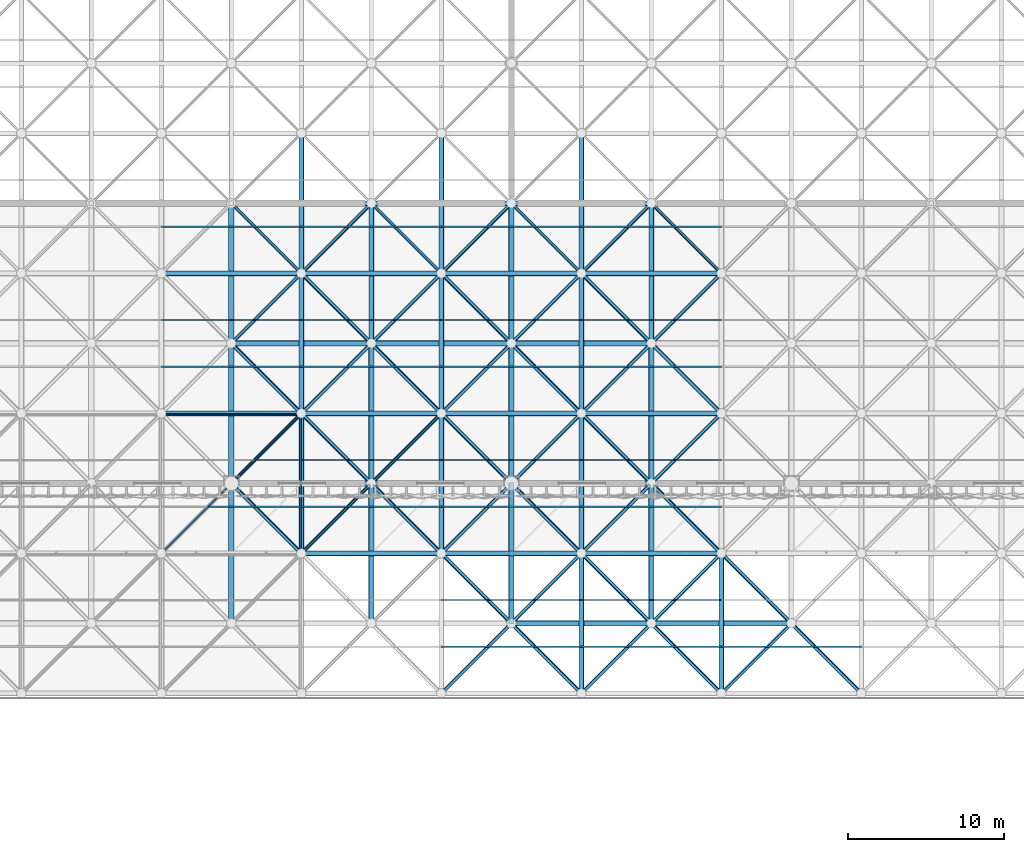
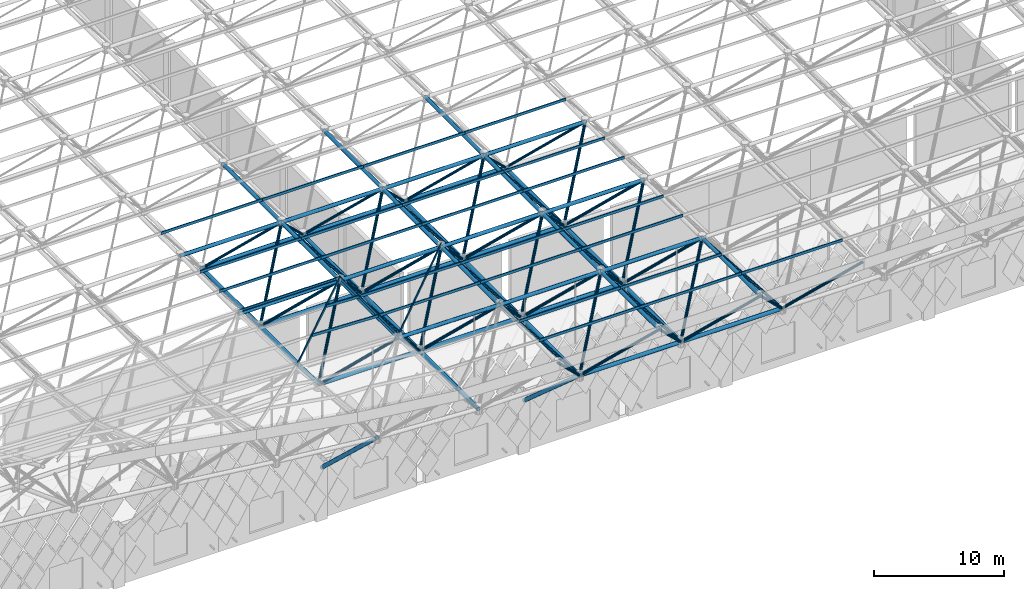
# One storey, part 84 of 437: 123 members.
"""IFC4 building model written with IfcOpenShell, lengths in metres."""

from ifc_helpers import new_model, si_unit, direction, frame, origin, origin_2d, place, context, subcontext, project, spatial, polyline, hollow_circle, outline, extrude, material, material_profile, profile_set, type_object, element, save


model = new_model("IFC4")

# Units and contexts
model_context = context("Model", 3, precision=1e-05, world=origin(), true_north=direction((0.0, 1.0)))
body_context = subcontext(model_context, "Body", "Model", "MODEL_VIEW")
ifc_project = project(units=[si_unit("LENGTHUNIT", "METRE"), si_unit("AREAUNIT", "SQUARE_METRE"), si_unit("VOLUMEUNIT", "CUBIC_METRE"), si_unit("PLANEANGLEUNIT", "RADIAN"), si_unit("MASSUNIT", "GRAM", prefix="KILO")], contexts=[model_context])

# Site, building, storey
site_placement = place(None, origin())
site = spatial("IfcSite", under=ifc_project, at=site_placement, CompositionType="ELEMENT")
building_placement = place(site_placement, origin())
building = spatial("IfcBuilding", under=site, at=building_placement, Name="Opaline Strait Convention Centre", CompositionType="ELEMENT")
storey_placement = place(building_placement, frame((0.0, 0.0, 11.5)))
storey = spatial("IfcBuildingStorey", under=building, at=storey_placement, Name="L02", CompositionType="ELEMENT", Elevation=11.5)

# Members
ifc_material = material(Name="Steel Q355B", Category="steel")
ifc_material_profile_1 = material_profile(ifc_material, hollow_circle(Radius=0.175537109375, WallThickness=0.01611328125, at=origin_2d()), Name="CHS 351x16")
ifc_profile_set_1 = profile_set([ifc_material_profile_1], Name="Steel Q355B")
member_type_1 = type_object("IfcMemberType", Name="Raking prop CHS 351x16", PredefinedType="BRACE", material=ifc_profile_set_1)
member_1_placement = place(storey_placement, frame((135.0, 53.48388671875, 5.014892578125), z_axis=(0.0, -0.72992125999, 0.683531238653), x_axis=(1.0, 0.0, 0.0)))
element("IfcMember", 1, at=member_1_placement, inside=storey, type_object=member_type_1, Name="Raking prop 135/54 S", PredefinedType="BRACE", context=body_context, shape_type="SweptSolid", body=[
    extrude(hollow_circle(Radius=0.175537109375, WallThickness=0.01611328125, at=origin_2d()), origin(), (0.0, 0.0, 1.0), 11.6728515625),
])
member_2_placement = place(storey_placement, frame((153.0, 53.48388671875, 5.01416015625), z_axis=(0.0, -0.749834093781, 0.661625900191), x_axis=(1.0, 0.0, 0.0)))
element("IfcMember", 2, at=member_2_placement, inside=storey, type_object=member_type_1, Name="Raking prop 153/54 S", PredefinedType="BRACE", context=body_context, shape_type="SweptSolid", body=[
    extrude(hollow_circle(Radius=0.175537109375, WallThickness=0.01611328125, at=origin_2d()), origin(), (0.0, 0.0, 1.0), 11.364501953125),
])
ifc_material_profile_2 = material_profile(ifc_material, outline(polyline([(-0.03759765625, -0.125), (0.03759765625, -0.125), (0.03759765625, -0.10498046875), (0.034912109375, -0.10498046875), (0.034912109375, -0.12255859375), (-0.034912109375, -0.12255859375), (-0.034912109375, 0.12255859375), (0.034912109375, 0.12255859375), (0.034912109375, 0.10498046875), (0.03759765625, 0.10498046875), (0.03759765625, 0.125), (-0.03759765625, 0.125), (-0.03759765625, -0.125)])), Name="C 250x75x20x2.5")
ifc_profile_set_2 = profile_set([ifc_material_profile_2], Name="Steel Q355B")
member_type_2 = type_object("IfcMemberType", Name="Roof purlin C 250x75x20x2.5", PredefinedType="PURLIN", material=ifc_profile_set_2)
for number, where, z_axis, x_axis, name in (
    (3, (148.5, 43.5, 18.257080078125), (1.0, 0.0, 0.0), (0.0, 1.0, 0.0), "EXB-RF-P-7-0-0"),
    (4, (148.5, 46.5, 18.257080078125), (1.0, 0.0, 0.0), (0.0, 1.0, 0.0), "EXB-RF-P-7-0-1"),
    (5, (157.5, 43.5, 18.257080078125), (1.0, 0.0, 0.0), (0.0, 1.0, 0.0), "EXB-RF-P-8-0-0"),
    (6, (157.5, 46.5, 18.257080078125), (1.0, 0.0, 0.0), (0.0, 1.0, 0.0), "EXB-RF-P-8-0-1"),
    (7, (166.5, 43.5, 18.257080078125), (1.0, 0.0, 0.0), (0.0, 1.0, 0.0), "EXB-RF-P-9-0-0"),
):
    element("IfcMember", number, at=place(storey_placement, frame(where, z_axis=z_axis, x_axis=x_axis)), inside=storey, type_object=member_type_2, Name=name, PredefinedType="PURLIN", context=body_context, shape_type="SweptSolid", body=[
        extrude(outline(polyline([(-0.03759765625, -0.125), (0.03759765625, -0.125), (0.03759765625, -0.10498046875), (0.034912109375, -0.10498046875), (0.034912109375, -0.12255859375), (-0.034912109375, -0.12255859375), (-0.034912109375, 0.12255859375), (0.034912109375, 0.12255859375), (0.034912109375, 0.10498046875), (0.03759765625, 0.10498046875), (0.03759765625, 0.125), (-0.03759765625, 0.125), (-0.03759765625, -0.125)])), origin(), (0.0, 0.0, 1.0), 9.0),
    ])
member_3_placement = place(storey_placement, frame((130.5, 49.5, 18.6572265625), z_axis=(0.706754608869, 0.706754608869, -0.031557022738), x_axis=(-0.707458778193, 0.706051128284, -0.031525884719)))
element("IfcMember", 8, at=member_3_placement, inside=storey, type_object=member_type_2, Name="EXB-RF-F-5-1", PredefinedType="PURLIN", context=body_context, shape_type="SweptSolid", body=[
    extrude(outline(polyline([(-0.03759765625, -0.125), (0.03759765625, -0.125), (0.03759765625, -0.10498046875), (0.034912109375, -0.10498046875), (0.034912109375, -0.12255859375), (-0.034912109375, -0.12255859375), (-0.034912109375, 0.12255859375), (0.034912109375, 0.12255859375), (0.034912109375, 0.10498046875), (0.03759765625, 0.10498046875), (0.03759765625, 0.125), (-0.03759765625, 0.125), (-0.03759765625, -0.125)])), origin(), (0.0, 0.0, 1.0), 12.734375),
])
member_4_placement = place(storey_placement, frame((139.45556640625, 58.550048828125, 18.25830078125), z_axis=(0.0, -0.999973571083, 0.007270291296), x_axis=(0.999302242213, -0.000271545984, -0.037349095988)))
element("IfcMember", 9, at=member_4_placement, inside=storey, type_object=member_type_2, Name="EXB-RF-E-5-1a", PredefinedType="PURLIN", context=body_context, shape_type="SweptSolid", body=[
    extrude(outline(polyline([(-0.03759765625, -0.125), (0.03759765625, -0.125), (0.03759765625, -0.10498046875), (0.034912109375, -0.10498046875), (0.034912109375, -0.12255859375), (-0.034912109375, -0.12255859375), (-0.034912109375, 0.12255859375), (0.034912109375, 0.12255859375), (0.034912109375, 0.10498046875), (0.03759765625, 0.10498046875), (0.03759765625, 0.125), (-0.03759765625, 0.125), (-0.03759765625, -0.125)])), origin(), (0.0, 0.0, 1.0), 9.100341796875),
])
member_5_placement = place(storey_placement, frame((133.550048828125, 52.5, 18.523193359375), z_axis=(0.999301908051, 0.0, -0.037359022553), x_axis=(-0.00027176702, 0.999973540706, -0.007269389915)))
element("IfcMember", 10, at=member_5_placement, inside=storey, type_object=member_type_2, Name="EXB-RF-P-5-1-0a", PredefinedType="PURLIN", context=body_context, shape_type="SweptSolid", body=[
    extrude(outline(polyline([(-0.03759765625, -0.125), (0.03759765625, -0.125), (0.03759765625, -0.10498046875), (0.034912109375, -0.10498046875), (0.034912109375, -0.12255859375), (-0.034912109375, -0.12255859375), (-0.034912109375, 0.12255859375), (0.034912109375, 0.12255859375), (0.034912109375, 0.10498046875), (0.03759765625, 0.10498046875), (0.03759765625, 0.125), (-0.03759765625, 0.125), (-0.03759765625, -0.125)])), origin(), (0.0, 0.0, 1.0), 5.875),
])
member_6_placement = place(storey_placement, frame((136.550048828125, 55.5, 18.38916015625), z_axis=(0.999303847196, 0.0, -0.03730711701), x_axis=(-0.000271389435, 0.999973540706, -0.007269404021)))
element("IfcMember", 11, at=member_6_placement, inside=storey, type_object=member_type_2, Name="EXB-RF-P-5-1-1a", PredefinedType="PURLIN", context=body_context, shape_type="SweptSolid", body=[
    extrude(outline(polyline([(-0.03759765625, -0.125), (0.03759765625, -0.125), (0.03759765625, -0.10498046875), (0.034912109375, -0.10498046875), (0.034912109375, -0.12255859375), (-0.034912109375, -0.12255859375), (-0.034912109375, 0.12255859375), (0.034912109375, 0.12255859375), (0.034912109375, 0.10498046875), (0.03759765625, 0.10498046875), (0.03759765625, 0.125), (-0.03759765625, 0.125), (-0.03759765625, -0.125)])), origin(), (0.0, 0.0, 1.0), 2.872802734375),
])
member_7_placement = place(storey_placement, frame((139.550048828125, 58.45458984375, 18.259033203125), z_axis=(-1.0, 0.0, 0.0), x_axis=(0.0, -0.999004644434, 0.044606282058)))
element("IfcMember", 12, at=member_7_placement, inside=storey, type_object=member_type_2, Name="EXB-RF-E-5-1b", PredefinedType="PURLIN", context=body_context, shape_type="SweptSolid", body=[
    extrude(outline(polyline([(-0.03759765625, -0.125), (0.03759765625, -0.125), (0.03759765625, -0.10498046875), (0.034912109375, -0.10498046875), (0.034912109375, -0.12255859375), (-0.034912109375, -0.12255859375), (-0.034912109375, 0.12255859375), (0.034912109375, 0.12255859375), (0.034912109375, 0.10498046875), (0.03759765625, 0.10498046875), (0.03759765625, 0.125), (-0.03759765625, 0.125), (-0.03759765625, -0.125)])), origin(), (0.0, 0.0, 1.0), 9.10009765625),
])
member_8_placement = place(storey_placement, frame((139.5, 49.5, 18.322021484375), z_axis=(0.7070974383, 0.7070974383, -0.005140573824), x_axis=(-0.707116123947, 0.707078731646, -0.005143394667)))
element("IfcMember", 13, at=member_8_placement, inside=storey, type_object=member_type_2, Name="EXB-RF-F-6-1", PredefinedType="PURLIN", context=body_context, shape_type="SweptSolid", body=[
    extrude(outline(polyline([(-0.03759765625, -0.125), (0.03759765625, -0.125), (0.03759765625, -0.10498046875), (0.034912109375, -0.10498046875), (0.034912109375, -0.12255859375), (-0.034912109375, -0.12255859375), (-0.034912109375, 0.12255859375), (0.034912109375, 0.12255859375), (0.034912109375, 0.10498046875), (0.03759765625, 0.10498046875), (0.03759765625, 0.125), (-0.03759765625, 0.125), (-0.03759765625, -0.125)])), origin(), (0.0, 0.0, 1.0), 12.72802734375),
])
member_9_placement = place(storey_placement, frame((142.550048828125, 52.5, 18.30029296875), z_axis=(0.999973627418, 0.0, -0.007262538757), x_axis=(0.0, 1.0, 0.0)))
element("IfcMember", 14, at=member_9_placement, inside=storey, type_object=member_type_2, Name="EXB-RF-P-6-1-0a", PredefinedType="PURLIN", context=body_context, shape_type="SweptSolid", body=[
    extrude(outline(polyline([(-0.03759765625, -0.125), (0.03759765625, -0.125), (0.03759765625, -0.10498046875), (0.034912109375, -0.10498046875), (0.034912109375, -0.12255859375), (-0.034912109375, -0.12255859375), (-0.034912109375, 0.12255859375), (0.034912109375, 0.12255859375), (0.034912109375, 0.10498046875), (0.03759765625, 0.10498046875), (0.03759765625, 0.125), (-0.03759765625, 0.125), (-0.03759765625, -0.125)])), origin(), (0.0, 0.0, 1.0), 5.9501953125),
])
for number, where, z_axis, x_axis, name in (
    (15, (145.550048828125, 55.5, 18.278564453125), (0.999973480305, 0.0, -0.007282766388), (0.0, 1.0, 0.0), "EXB-RF-P-6-1-1a"),
    (16, (139.5, 52.5, 18.300537109375), (1.0, 0.0, 0.0), (0.0, 0.999973540706, -0.007274468163), "EXB-RF-P-6-1-0b"),
):
    element("IfcMember", number, at=place(storey_placement, frame(where, z_axis=z_axis, x_axis=x_axis)), inside=storey, type_object=member_type_2, Name=name, PredefinedType="PURLIN", context=body_context, shape_type="SweptSolid", body=[
        extrude(outline(polyline([(-0.03759765625, -0.125), (0.03759765625, -0.125), (0.03759765625, -0.10498046875), (0.034912109375, -0.10498046875), (0.034912109375, -0.12255859375), (-0.034912109375, -0.12255859375), (-0.034912109375, 0.12255859375), (0.034912109375, 0.12255859375), (0.034912109375, 0.10498046875), (0.03759765625, 0.10498046875), (0.03759765625, 0.125), (-0.03759765625, 0.125), (-0.03759765625, -0.125)])), origin(), (0.0, 0.0, 1.0), 2.949951171875),
    ])
member_10_placement = place(storey_placement, frame((139.5, 55.5, 18.27880859375), z_axis=(1.0, 0.0, 0.0), x_axis=(0.0, 0.999973540706, -0.007274468163)))
element("IfcMember", 17, at=member_10_placement, inside=storey, type_object=member_type_2, Name="EXB-RF-P-6-1-1b", PredefinedType="PURLIN", context=body_context, shape_type="SweptSolid", body=[
    extrude(outline(polyline([(-0.03759765625, -0.125), (0.03759765625, -0.125), (0.03759765625, -0.10498046875), (0.034912109375, -0.10498046875), (0.034912109375, -0.12255859375), (-0.034912109375, -0.12255859375), (-0.034912109375, 0.12255859375), (0.034912109375, 0.12255859375), (0.034912109375, 0.10498046875), (0.03759765625, 0.10498046875), (0.03759765625, 0.125), (-0.03759765625, 0.125), (-0.03759765625, -0.125)])), origin(), (0.0, 0.0, 1.0), 5.949951171875),
])
for number, where, z_axis, x_axis, name in (
    (18, (148.5, 52.5, 18.257080078125), (1.0, 0.0, 0.0), (0.0, 1.0, 0.0), "EXB-RF-P-7-1-0"),
    (19, (148.5, 55.5, 18.257080078125), (1.0, 0.0, 0.0), (0.0, 1.0, 0.0), "EXB-RF-P-7-1-1"),
    (20, (157.5, 52.5, 18.257080078125), (1.0, 0.0, 0.0), (0.0, 1.0, 0.0), "EXB-RF-P-8-1-0"),
    (21, (157.5, 55.5, 18.257080078125), (1.0, 0.0, 0.0), (0.0, 1.0, 0.0), "EXB-RF-P-8-1-1"),
    (22, (130.5, 61.5, 18.257080078125), (1.0, 0.0, 0.0), (0.0, 1.0, 0.0), "EXB-RF-P-5-2-0"),
    (23, (130.5, 64.5, 18.257080078125), (1.0, 0.0, 0.0), (0.0, 1.0, 0.0), "EXB-RF-P-5-2-1"),
    (24, (139.5, 61.5, 18.257080078125), (1.0, 0.0, 0.0), (0.0, 1.0, 0.0), "EXB-RF-P-6-2-0"),
    (25, (139.5, 64.5, 18.257080078125), (1.0, 0.0, 0.0), (0.0, 1.0, 0.0), "EXB-RF-P-6-2-1"),
    (26, (148.5, 61.5, 18.257080078125), (1.0, 0.0, 0.0), (0.0, 1.0, 0.0), "EXB-RF-P-7-2-0"),
    (27, (148.5, 64.5, 18.257080078125), (1.0, 0.0, 0.0), (0.0, 1.0, 0.0), "EXB-RF-P-7-2-1"),
    (28, (157.5, 61.5, 18.257080078125), (1.0, 0.0, 0.0), (0.0, 1.0, 0.0), "EXB-RF-P-8-2-0"),
    (29, (157.5, 64.5, 18.257080078125), (1.0, 0.0, 0.0), (0.0, 1.0, 0.0), "EXB-RF-P-8-2-1"),
    (30, (130.5, 70.5, 18.257080078125), (1.0, 0.0, 0.0), (0.0, 1.0, 0.0), "EXB-RF-P-5-3-0"),
    (31, (139.5, 70.5, 18.257080078125), (1.0, 0.0, 0.0), (0.0, 1.0, 0.0), "EXB-RF-P-6-3-0"),
    (32, (148.5, 70.5, 18.257080078125), (1.0, 0.0, 0.0), (0.0, 1.0, 0.0), "EXB-RF-P-7-3-0"),
    (33, (157.5, 70.5, 18.257080078125), (1.0, 0.0, 0.0), (0.0, 1.0, 0.0), "EXB-RF-P-8-3-0"),
):
    element("IfcMember", number, at=place(storey_placement, frame(where, z_axis=z_axis, x_axis=x_axis)), inside=storey, type_object=member_type_2, Name=name, PredefinedType="PURLIN", context=body_context, shape_type="SweptSolid", body=[
        extrude(outline(polyline([(-0.03759765625, -0.125), (0.03759765625, -0.125), (0.03759765625, -0.10498046875), (0.034912109375, -0.10498046875), (0.034912109375, -0.12255859375), (-0.034912109375, -0.12255859375), (-0.034912109375, 0.12255859375), (0.034912109375, 0.12255859375), (0.034912109375, 0.10498046875), (0.03759765625, 0.10498046875), (0.03759765625, 0.125), (-0.03759765625, 0.125), (-0.03759765625, -0.125)])), origin(), (0.0, 0.0, 1.0), 9.0),
    ])
ifc_material_profile_3 = material_profile(ifc_material, hollow_circle(Radius=0.16259765625, WallThickness=0.013916015625, at=origin_2d()), Name="CHS 325x14")
ifc_profile_set_3 = profile_set([ifc_material_profile_3], Name="Steel Q355B")
member_type_3 = type_object("IfcMemberType", Name="Space frame bottom chord CHS 325x14", PredefinedType="CHORD", material=ifc_profile_set_3)
for number, where, z_axis, x_axis, name in (
    (34, (134.949951171875, 72.0, 12.5), (1.0, 0.0, 0.0), (0.0, 1.0, 0.0), "EXB-RF-BX-5-3"),
    (35, (143.949951171875, 72.0, 12.5), (1.0, 0.0, 0.0), (0.0, 1.0, 0.0), "EXB-RF-BX-6-3"),
    (36, (152.949951171875, 72.0, 12.5), (1.0, 0.0, 0.0), (0.0, 1.0, 0.0), "EXB-RF-BX-7-3"),
    (37, (144.0, 62.949951171875, 12.5), (0.0, 1.0, 0.0), (-1.0, 0.0, 0.0), "EXB-RF-BY-6-2"),
    (38, (162.0, 62.949951171875, 12.5), (0.0, 1.0, 0.0), (-1.0, 0.0, 0.0), "EXB-RF-BY-8-2"),
):
    element("IfcMember", number, at=place(storey_placement, frame(where, z_axis=z_axis, x_axis=x_axis)), inside=storey, type_object=member_type_3, Name=name, PredefinedType="CHORD", context=body_context, shape_type="SweptSolid", body=[
        extrude(hollow_circle(Radius=0.16259765625, WallThickness=0.013916015625, at=origin_2d()), origin(), (0.0, 0.0, 1.0), 9.10009765625),
    ])
ifc_material_profile_4 = material_profile(ifc_material, hollow_circle(Radius=0.175537109375, WallThickness=0.01611328125, at=origin_2d()), Name="CHS 351x16")
ifc_profile_set_4 = profile_set([ifc_material_profile_4], Name="Steel Q355B")
member_type_4 = type_object("IfcMemberType", Name="Space frame bottom chord CHS 351x16", PredefinedType="CHORD", material=ifc_profile_set_4)
for number, where, z_axis, x_axis, name in (
    (39, (152.949951171875, 45.0, 12.5), (1.0, 0.0, 0.0), (0.0, 1.0, 0.0), "EXB-RF-BX-7-0"),
    (40, (161.949951171875, 45.0, 12.5), (1.0, 0.0, 0.0), (0.0, 1.0, 0.0), "EXB-RF-BX-8-0"),
    (41, (134.949951171875, 54.0, 12.5), (1.0, 0.0, 0.0), (0.0, 1.0, 0.0), "EXB-RF-BX-5-1"),
    (42, (143.949951171875, 54.0, 12.5), (1.0, 0.0, 0.0), (0.0, 1.0, 0.0), "EXB-RF-BX-6-1"),
    (43, (152.949951171875, 54.0, 12.5), (1.0, 0.0, 0.0), (0.0, 1.0, 0.0), "EXB-RF-BX-7-1"),
    (44, (134.949951171875, 63.0, 12.5), (1.0, 0.0, 0.0), (0.0, 1.0, 0.0), "EXB-RF-BX-5-2"),
    (45, (143.949951171875, 63.0, 12.5), (1.0, 0.0, 0.0), (0.0, 1.0, 0.0), "EXB-RF-BX-6-2"),
    (46, (152.949951171875, 63.0, 12.5), (1.0, 0.0, 0.0), (0.0, 1.0, 0.0), "EXB-RF-BX-7-2"),
    (47, (135.0, 53.949951171875, 12.5), (0.0, 1.0, 0.0), (-1.0, 0.0, 0.0), "EXB-RF-BY-5-1"),
    (48, (135.0, 62.949951171875, 12.5), (0.0, 1.0, 0.0), (-1.0, 0.0, 0.0), "EXB-RF-BY-5-2"),
    (49, (144.0, 44.949951171875, 12.509033203125), (0.0, 0.999999507324, -0.000992648542), (-1.0, 0.0, 0.0), "EXB-RF-BY-6-0"),
    (50, (144.0, 53.949951171875, 12.5), (0.0, 1.0, 0.0), (-1.0, 0.0, 0.0), "EXB-RF-BY-6-1"),
    (51, (153.0, 44.949951171875, 12.5), (0.0, 1.0, 0.0), (-1.0, 0.0, 0.0), "EXB-RF-BY-7-0"),
    (52, (153.0, 53.949951171875, 12.5), (0.0, 1.0, 0.0), (-1.0, 0.0, 0.0), "EXB-RF-BY-7-1"),
    (53, (153.0, 62.949951171875, 12.5), (0.0, 1.0, 0.0), (-1.0, 0.0, 0.0), "EXB-RF-BY-7-2"),
    (54, (162.0, 44.949951171875, 12.5), (0.0, 1.0, 0.0), (-1.0, 0.0, 0.0), "EXB-RF-BY-8-0"),
    (55, (162.0, 53.949951171875, 12.5), (0.0, 1.0, 0.0), (-1.0, 0.0, 0.0), "EXB-RF-BY-8-1"),
):
    element("IfcMember", number, at=place(storey_placement, frame(where, z_axis=z_axis, x_axis=x_axis)), inside=storey, type_object=member_type_4, Name=name, PredefinedType="CHORD", context=body_context, shape_type="SweptSolid", body=[
        extrude(hollow_circle(Radius=0.175537109375, WallThickness=0.01611328125, at=origin_2d()), origin(), (0.0, 0.0, 1.0), 9.10009765625),
    ])
ifc_material_profile_5 = material_profile(ifc_material, hollow_circle(Radius=0.16259765625, WallThickness=0.013916015625, at=origin_2d()), Name="CHS 325x14")
ifc_profile_set_5 = profile_set([ifc_material_profile_5], Name="Steel Q355B")
member_type_5 = type_object("IfcMemberType", Name="Space frame top chord CHS 325x14", PredefinedType="CHORD", material=ifc_profile_set_5)
for number, where, z_axis, x_axis, name in (
    (56, (139.449951171875, 67.5, 17.971435546875), (1.0, 0.0, 0.0), (0.0, 1.0, 0.0), "EXB-RF-TX-6-3"),
    (57, (157.449951171875, 67.5, 17.971435546875), (1.0, 0.0, 0.0), (0.0, 1.0, 0.0), "EXB-RF-TX-8-3"),
    (58, (139.5, 67.449951171875, 17.971435546875), (0.0, 1.0, 0.0), (-1.0, 0.0, 0.0), "EXB-RF-TY-6-3"),
    (59, (148.5, 67.449951171875, 17.971435546875), (0.0, 1.0, 0.0), (-1.0, 0.0, 0.0), "EXB-RF-TY-7-3"),
    (60, (157.5, 67.449951171875, 17.971435546875), (0.0, 1.0, 0.0), (-1.0, 0.0, 0.0), "EXB-RF-TY-8-3"),
):
    element("IfcMember", number, at=place(storey_placement, frame(where, z_axis=z_axis, x_axis=x_axis)), inside=storey, type_object=member_type_5, Name=name, PredefinedType="CHORD", context=body_context, shape_type="SweptSolid", body=[
        extrude(hollow_circle(Radius=0.16259765625, WallThickness=0.013916015625, at=origin_2d()), origin(), (0.0, 0.0, 1.0), 9.10009765625),
    ])
ifc_material_profile_6 = material_profile(ifc_material, hollow_circle(Radius=0.16259765625, WallThickness=0.02001953125, at=origin_2d()), Name="CHS 325x20")
ifc_profile_set_6 = profile_set([ifc_material_profile_6], Name="Steel Q355B")
member_type_6 = type_object("IfcMemberType", Name="Space frame top chord CHS 325x20", PredefinedType="CHORD", material=ifc_profile_set_6)
member_11_placement = place(storey_placement, frame((139.449951171875, 49.5, 18.037353515625), z_axis=(0.999973571083, 0.0, -0.007270291296), x_axis=(0.0, 1.0, 0.0)))
element("IfcMember", 61, at=member_11_placement, inside=storey, type_object=member_type_6, Name="EXB-RF-TX-6-1", PredefinedType="CHORD", context=body_context, shape_type="SweptSolid", body=[
    extrude(hollow_circle(Radius=0.16259765625, WallThickness=0.02001953125, at=origin_2d()), origin(), (0.0, 0.0, 1.0), 9.100341796875),
])
for number, where, z_axis, x_axis, name in (
    (62, (148.449951171875, 49.5, 17.971435546875), (1.0, 0.0, 0.0), (0.0, 1.0, 0.0), "EXB-RF-TX-7-1"),
    (63, (157.449951171875, 49.5, 17.971435546875), (1.0, 0.0, 0.0), (0.0, 1.0, 0.0), "EXB-RF-TX-8-1"),
    (64, (130.449951171875, 58.5, 17.971435546875), (1.0, 0.0, 0.0), (0.0, 1.0, 0.0), "EXB-RF-TX-5-2"),
    (65, (139.449951171875, 58.5, 17.971435546875), (1.0, 0.0, 0.0), (0.0, 1.0, 0.0), "EXB-RF-TX-6-2"),
    (66, (148.449951171875, 58.5, 17.971435546875), (1.0, 0.0, 0.0), (0.0, 1.0, 0.0), "EXB-RF-TX-7-2"),
    (67, (157.449951171875, 58.5, 17.971435546875), (1.0, 0.0, 0.0), (0.0, 1.0, 0.0), "EXB-RF-TX-8-2"),
    (68, (130.449951171875, 67.5, 17.971435546875), (1.0, 0.0, 0.0), (0.0, 1.0, 0.0), "EXB-RF-TX-5-3"),
    (69, (148.449951171875, 67.5, 17.971435546875), (1.0, 0.0, 0.0), (0.0, 1.0, 0.0), "EXB-RF-TX-7-3"),
):
    element("IfcMember", number, at=place(storey_placement, frame(where, z_axis=z_axis, x_axis=x_axis)), inside=storey, type_object=member_type_6, Name=name, PredefinedType="CHORD", context=body_context, shape_type="SweptSolid", body=[
        extrude(hollow_circle(Radius=0.16259765625, WallThickness=0.02001953125, at=origin_2d()), origin(), (0.0, 0.0, 1.0), 9.10009765625),
    ])
member_12_placement = place(storey_placement, frame((139.5, 49.449951171875, 18.037353515625), z_axis=(0.0, 0.999973571083, -0.007270291296), x_axis=(-1.0, 0.0, 0.0)))
element("IfcMember", 70, at=member_12_placement, inside=storey, type_object=member_type_6, Name="EXB-RF-TY-6-1", PredefinedType="CHORD", context=body_context, shape_type="SweptSolid", body=[
    extrude(hollow_circle(Radius=0.16259765625, WallThickness=0.02001953125, at=origin_2d()), origin(), (0.0, 0.0, 1.0), 9.100341796875),
])
for number, where, z_axis, x_axis, name in (
    (71, (139.5, 58.449951171875, 17.971435546875), (0.0, 1.0, 0.0), (-1.0, 0.0, 0.0), "EXB-RF-TY-6-2"),
    (72, (148.5, 49.449951171875, 17.971435546875), (0.0, 1.0, 0.0), (-1.0, 0.0, 0.0), "EXB-RF-TY-7-1"),
    (73, (148.5, 58.449951171875, 17.971435546875), (0.0, 1.0, 0.0), (-1.0, 0.0, 0.0), "EXB-RF-TY-7-2"),
    (74, (157.5, 40.449951171875, 17.971435546875), (0.0, 1.0, 0.0), (-1.0, 0.0, 0.0), "EXB-RF-TY-8-0"),
    (75, (157.5, 49.449951171875, 17.971435546875), (0.0, 1.0, 0.0), (-1.0, 0.0, 0.0), "EXB-RF-TY-8-1"),
    (76, (157.5, 58.449951171875, 17.971435546875), (0.0, 1.0, 0.0), (-1.0, 0.0, 0.0), "EXB-RF-TY-8-2"),
    (77, (166.5, 40.449951171875, 17.971435546875), (0.0, 1.0, 0.0), (-1.0, 0.0, 0.0), "EXB-RF-TY-9-0"),
):
    element("IfcMember", number, at=place(storey_placement, frame(where, z_axis=z_axis, x_axis=x_axis)), inside=storey, type_object=member_type_6, Name=name, PredefinedType="CHORD", context=body_context, shape_type="SweptSolid", body=[
        extrude(hollow_circle(Radius=0.16259765625, WallThickness=0.02001953125, at=origin_2d()), origin(), (0.0, 0.0, 1.0), 9.10009765625),
    ])
ifc_material_profile_7 = material_profile(ifc_material, hollow_circle(Radius=0.109619140625, WallThickness=0.010009765625, at=origin_2d()), Name="CHS 219x10")
ifc_profile_set_7 = profile_set([ifc_material_profile_7], Name="Steel Q355B")
member_type_7 = type_object("IfcMemberType", Name="Space frame web CHS 219x10", PredefinedType="BRACE", material=ifc_profile_set_7)
for number, where, z_axis, x_axis, name in (
    (78, (139.52685546875, 67.47314453125, 18.004150390625), (-0.536178220346, 0.536178220346, -0.6519400525), (-0.707106781187, -0.707106781187, 0.0), "EXB-RF-W-5-3-10"),
    (79, (139.47314453125, 67.47314453125, 18.004150390625), (0.536178220346, 0.536178220346, -0.6519400525), (-0.707106781187, 0.707106781187, 0.0), "EXB-RF-W-6-3-00"),
    (80, (148.52685546875, 67.47314453125, 18.004150390625), (-0.536178220346, 0.536178220346, -0.6519400525), (-0.707106781187, -0.707106781187, 0.0), "EXB-RF-W-6-3-10"),
    (81, (148.47314453125, 67.47314453125, 18.004150390625), (0.536178220346, 0.536178220346, -0.6519400525), (-0.707106781187, 0.707106781187, 0.0), "EXB-RF-W-7-3-00"),
    (82, (157.52685546875, 67.47314453125, 18.004150390625), (-0.536178220346, 0.536178220346, -0.6519400525), (-0.707106781187, -0.707106781187, 0.0), "EXB-RF-W-7-3-10"),
    (83, (157.47314453125, 67.47314453125, 18.004150390625), (0.536178220346, 0.536178220346, -0.6519400525), (-0.707106781187, 0.707106781187, 0.0), "EXB-RF-W-8-3-00"),
    (84, (166.52685546875, 67.47314453125, 18.004150390625), (-0.536178220346, 0.536178220346, -0.6519400525), (-0.707106781187, -0.707106781187, 0.0), "EXB-RF-W-8-3-10"),
):
    element("IfcMember", number, at=place(storey_placement, frame(where, z_axis=z_axis, x_axis=x_axis)), inside=storey, type_object=member_type_7, Name=name, PredefinedType="BRACE", context=body_context, shape_type="SweptSolid", body=[
        extrude(hollow_circle(Radius=0.109619140625, WallThickness=0.010009765625, at=origin_2d()), origin(), (0.0, 0.0, 1.0), 8.492919921875),
    ])
ifc_material_profile_8 = material_profile(ifc_material, hollow_circle(Radius=0.12255859375, WallThickness=0.011962890625, at=origin_2d()), Name="CHS 245x12")
ifc_profile_set_8 = profile_set([ifc_material_profile_8], Name="Steel Q355B")
member_type_8 = type_object("IfcMemberType", Name="Space frame web CHS 245x12", PredefinedType="BRACE", material=ifc_profile_set_8)
member_13_placement = place(storey_placement, frame((139.526611328125, 49.473388671875, 18.06982421875), z_axis=(-0.533455011951, 0.533455011951, -0.65639279433), x_axis=(-0.707106781187, -0.707106781187, 0.0)))
element("IfcMember", 85, at=member_13_placement, inside=storey, type_object=member_type_8, Name="EXB-RF-W-5-1-10", PredefinedType="BRACE", context=body_context, shape_type="SweptSolid", body=[
    extrude(hollow_circle(Radius=0.12255859375, WallThickness=0.011962890625, at=origin_2d()), origin(), (0.0, 0.0, 1.0), 8.535400390625),
])
for number, where, z_axis, x_axis, name in (
    (86, (139.52685546875, 58.52685546875, 18.004150390625), (-0.536178220346, -0.536178220346, -0.6519400525), (0.707106781187, -0.707106781187, 0.0), "EXB-RF-W-5-1-11"),
    (87, (139.52685546875, 58.47314453125, 18.004150390625), (-0.536178220346, 0.536178220346, -0.6519400525), (-0.707106781187, -0.707106781187, 0.0), "EXB-RF-W-5-2-10"),
    (88, (139.52685546875, 67.52685546875, 18.004150390625), (-0.536178220346, -0.536178220346, -0.6519400525), (0.707106781187, -0.707106781187, 0.0), "EXB-RF-W-5-2-11"),
):
    element("IfcMember", number, at=place(storey_placement, frame(where, z_axis=z_axis, x_axis=x_axis)), inside=storey, type_object=member_type_8, Name=name, PredefinedType="BRACE", context=body_context, shape_type="SweptSolid", body=[
        extrude(hollow_circle(Radius=0.12255859375, WallThickness=0.011962890625, at=origin_2d()), origin(), (0.0, 0.0, 1.0), 8.492919921875),
    ])
member_14_placement = place(storey_placement, frame((139.473388671875, 49.473388671875, 18.06982421875), z_axis=(0.533455011951, 0.533455011951, -0.65639279433), x_axis=(-0.707106781187, 0.707106781187, 0.0)))
element("IfcMember", 89, at=member_14_placement, inside=storey, type_object=member_type_8, Name="EXB-RF-W-6-1-00", PredefinedType="BRACE", context=body_context, shape_type="SweptSolid", body=[
    extrude(hollow_circle(Radius=0.12255859375, WallThickness=0.011962890625, at=origin_2d()), origin(), (0.0, 0.0, 1.0), 8.535400390625),
])
for number, where, z_axis, x_axis, name in (
    (90, (139.47314453125, 58.52685546875, 18.004150390625), (0.536178220346, -0.536178220346, -0.6519400525), (0.707106781187, 0.707106781187, 0.0), "EXB-RF-W-6-1-01"),
    (91, (148.52685546875, 49.47314453125, 18.004150390625), (-0.536178220346, 0.536178220346, -0.6519400525), (-0.707106781187, -0.707106781187, 0.0), "EXB-RF-W-6-1-10"),
    (92, (148.52685546875, 58.52685546875, 18.004150390625), (-0.536178220346, -0.536178220346, -0.6519400525), (0.707106781187, -0.707106781187, 0.0), "EXB-RF-W-6-1-11"),
    (93, (139.47314453125, 58.47314453125, 18.004150390625), (0.536178220346, 0.536178220346, -0.6519400525), (-0.707106781187, 0.707106781187, 0.0), "EXB-RF-W-6-2-00"),
    (94, (139.47314453125, 67.52685546875, 18.004150390625), (0.536178220346, -0.536178220346, -0.6519400525), (0.707106781187, 0.707106781187, 0.0), "EXB-RF-W-6-2-01"),
    (95, (148.52685546875, 58.47314453125, 18.004150390625), (-0.536178220346, 0.536178220346, -0.6519400525), (-0.707106781187, -0.707106781187, 0.0), "EXB-RF-W-6-2-10"),
    (96, (148.52685546875, 67.52685546875, 18.004150390625), (-0.536178220346, -0.536178220346, -0.6519400525), (0.707106781187, -0.707106781187, 0.0), "EXB-RF-W-6-2-11"),
    (97, (148.47314453125, 40.47314453125, 18.004150390625), (0.536178220346, 0.536178220346, -0.6519400525), (-0.707106781187, 0.707106781187, 0.0), "EXB-RF-W-7-0-00"),
    (98, (148.47314453125, 49.52685546875, 18.004150390625), (0.536178220346, -0.536178220346, -0.6519400525), (0.707106781187, 0.707106781187, 0.0), "EXB-RF-W-7-0-01"),
    (99, (157.52685546875, 40.47314453125, 18.004150390625), (-0.536178220346, 0.536178220346, -0.6519400525), (-0.707106781187, -0.707106781187, 0.0), "EXB-RF-W-7-0-10"),
    (100, (157.52685546875, 49.52685546875, 18.004150390625), (-0.536178220346, -0.536178220346, -0.6519400525), (0.707106781187, -0.707106781187, 0.0), "EXB-RF-W-7-0-11"),
    (101, (148.47314453125, 49.47314453125, 18.004150390625), (0.536178220346, 0.536178220346, -0.6519400525), (-0.707106781187, 0.707106781187, 0.0), "EXB-RF-W-7-1-00"),
    (102, (148.47314453125, 58.52685546875, 18.004150390625), (0.536178220346, -0.536178220346, -0.6519400525), (0.707106781187, 0.707106781187, 0.0), "EXB-RF-W-7-1-01"),
    (103, (157.52685546875, 49.47314453125, 18.004150390625), (-0.536178220346, 0.536178220346, -0.6519400525), (-0.707106781187, -0.707106781187, 0.0), "EXB-RF-W-7-1-10"),
    (104, (157.52685546875, 58.52685546875, 18.004150390625), (-0.536178220346, -0.536178220346, -0.6519400525), (0.707106781187, -0.707106781187, 0.0), "EXB-RF-W-7-1-11"),
    (105, (148.47314453125, 58.47314453125, 18.004150390625), (0.536178220346, 0.536178220346, -0.6519400525), (-0.707106781187, 0.707106781187, 0.0), "EXB-RF-W-7-2-00"),
    (106, (148.47314453125, 67.52685546875, 18.004150390625), (0.536178220346, -0.536178220346, -0.6519400525), (0.707106781187, 0.707106781187, 0.0), "EXB-RF-W-7-2-01"),
    (107, (157.52685546875, 58.47314453125, 18.004150390625), (-0.536178220346, 0.536178220346, -0.6519400525), (-0.707106781187, -0.707106781187, 0.0), "EXB-RF-W-7-2-10"),
    (108, (157.52685546875, 67.52685546875, 18.004150390625), (-0.536178220346, -0.536178220346, -0.6519400525), (0.707106781187, -0.707106781187, 0.0), "EXB-RF-W-7-2-11"),
    (109, (157.47314453125, 40.47314453125, 18.004150390625), (0.536178220346, 0.536178220346, -0.6519400525), (-0.707106781187, 0.707106781187, 0.0), "EXB-RF-W-8-0-00"),
    (110, (157.47314453125, 49.52685546875, 18.004150390625), (0.536178220346, -0.536178220346, -0.6519400525), (0.707106781187, 0.707106781187, 0.0), "EXB-RF-W-8-0-01"),
    (111, (166.52685546875, 40.47314453125, 18.004150390625), (-0.536178220346, 0.536178220346, -0.6519400525), (-0.707106781187, -0.707106781187, 0.0), "EXB-RF-W-8-0-10"),
    (112, (166.52685546875, 49.52685546875, 18.004150390625), (-0.536178220346, -0.536178220346, -0.6519400525), (0.707106781187, -0.707106781187, 0.0), "EXB-RF-W-8-0-11"),
    (113, (157.47314453125, 49.47314453125, 18.004150390625), (0.536178220346, 0.536178220346, -0.6519400525), (-0.707106781187, 0.707106781187, 0.0), "EXB-RF-W-8-1-00"),
    (114, (157.47314453125, 58.52685546875, 18.004150390625), (0.536178220346, -0.536178220346, -0.6519400525), (0.707106781187, 0.707106781187, 0.0), "EXB-RF-W-8-1-01"),
    (115, (166.52685546875, 49.47314453125, 18.004150390625), (-0.536178220346, 0.536178220346, -0.6519400525), (-0.707106781187, -0.707106781187, 0.0), "EXB-RF-W-8-1-10"),
    (116, (166.52685546875, 58.52685546875, 18.004150390625), (-0.536178220346, -0.536178220346, -0.6519400525), (0.707106781187, -0.707106781187, 0.0), "EXB-RF-W-8-1-11"),
    (117, (157.47314453125, 58.47314453125, 18.004150390625), (0.536178220346, 0.536178220346, -0.6519400525), (-0.707106781187, 0.707106781187, 0.0), "EXB-RF-W-8-2-00"),
    (118, (157.47314453125, 67.52685546875, 18.004150390625), (0.536178220346, -0.536178220346, -0.6519400525), (0.707106781187, 0.707106781187, 0.0), "EXB-RF-W-8-2-01"),
    (119, (166.52685546875, 58.47314453125, 18.004150390625), (-0.536178220346, 0.536178220346, -0.6519400525), (-0.707106781187, -0.707106781187, 0.0), "EXB-RF-W-8-2-10"),
    (120, (166.52685546875, 67.52685546875, 18.004150390625), (-0.536178220346, -0.536178220346, -0.6519400525), (0.707106781187, -0.707106781187, 0.0), "EXB-RF-W-8-2-11"),
    (121, (166.47314453125, 40.47314453125, 18.004150390625), (0.536178220346, 0.536178220346, -0.6519400525), (-0.707106781187, 0.707106781187, 0.0), "EXB-RF-W-9-0-00"),
    (122, (166.47314453125, 49.52685546875, 18.004150390625), (0.536178220346, -0.536178220346, -0.6519400525), (0.707106781187, 0.707106781187, 0.0), "EXB-RF-W-9-0-01"),
    (123, (175.52685546875, 40.47314453125, 18.004150390625), (-0.536178220346, 0.536178220346, -0.6519400525), (-0.707106781187, -0.707106781187, 0.0), "EXB-RF-W-9-0-10"),
):
    element("IfcMember", number, at=place(storey_placement, frame(where, z_axis=z_axis, x_axis=x_axis)), inside=storey, type_object=member_type_8, Name=name, PredefinedType="BRACE", context=body_context, shape_type="SweptSolid", body=[
        extrude(hollow_circle(Radius=0.12255859375, WallThickness=0.011962890625, at=origin_2d()), origin(), (0.0, 0.0, 1.0), 8.492919921875),
    ])

save(model, "model.ifc")
